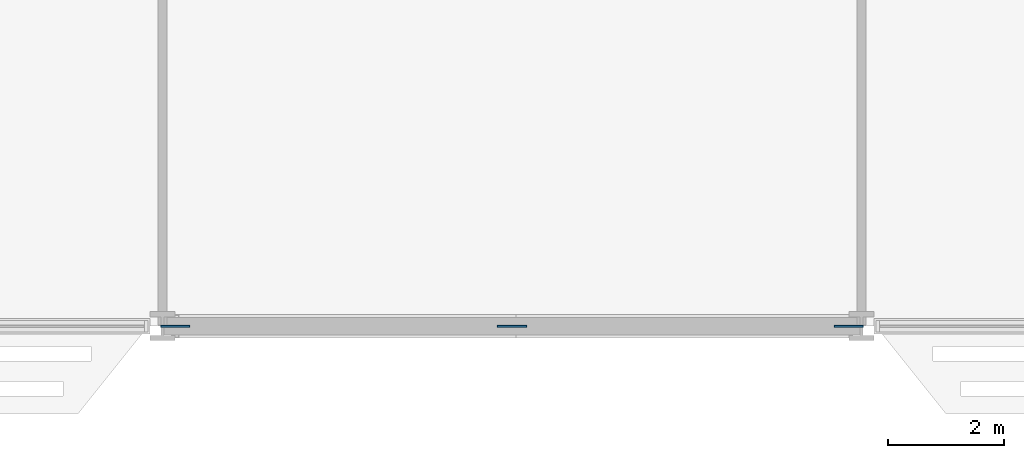
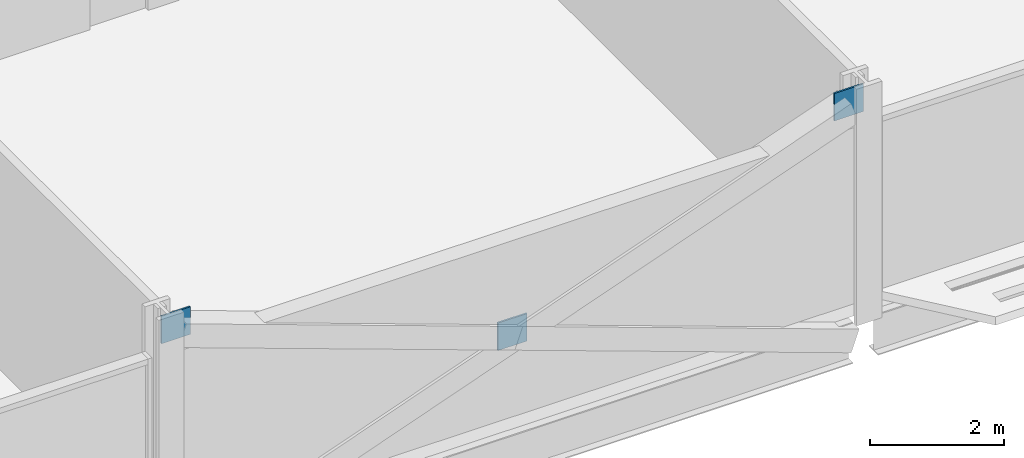
# One storey, part 17 of 28: 3 discrete accessories.
"""IFC4 building model written with IfcOpenShell, lengths in metres."""

from ifc_helpers import new_model, si_unit, direction, frame, origin, origin_2d, place, context, subcontext, project, spatial, rectangle, extrude, material, layer, layer_set, type_object, element, save


model = new_model("IFC4")

# Units and contexts
model_context = context("Model", 3, precision=1e-05, world=origin(), true_north=direction((0.0, 1.0)))
body_context = subcontext(model_context, "Body", "Model", "MODEL_VIEW")
ifc_project = project(units=[si_unit("LENGTHUNIT", "METRE"), si_unit("AREAUNIT", "SQUARE_METRE"), si_unit("VOLUMEUNIT", "CUBIC_METRE"), si_unit("PLANEANGLEUNIT", "RADIAN"), si_unit("MASSUNIT", "GRAM", prefix="KILO")], contexts=[model_context])

# Site, building, storey
site_placement = place(None, origin())
site = spatial("IfcSite", under=ifc_project, at=site_placement, CompositionType="ELEMENT")
building_placement = place(site_placement, origin())
building = spatial("IfcBuilding", under=site, at=building_placement, Name="Mahtab Terrace Research Tower", CompositionType="ELEMENT")
storey_placement = place(building_placement, frame((0.0, 0.0, 33.0)))
storey = spatial("IfcBuildingStorey", under=building, at=storey_placement, Name="L07", CompositionType="ELEMENT", Elevation=33.0)

# Discrete accessories
ifc_material = material(Name="Steel ASTM A992 Gr 50", Category="steel")
ifc_layer = layer(ifc_material, 0.030029296875)
ifc_layer_set = layer_set([ifc_layer], Name="Gusset plate 500x500x30")
discrete_accessory_type = type_object("IfcDiscreteAccessoryType", Name="Gusset plate 500x500x30", PredefinedType="USERDEFINED", material=ifc_layer_set)
for number, where, z_axis, x_axis, name in (
    (1, (-5.7841796875, -23.0, 3.32958984375), (0.0, 0.0, 1.0), (1.0, 0.0, 0.0), "Gusset plate"),
    (2, (0.0, -23.0, 1.181396484375), (0.0, 0.0, 1.0), (1.0, 0.0, 0.0), "Gusset plate"),
    (3, (5.7841796875, -23.0, 3.32958984375), (0.0, 0.0, 1.0), (1.0, 0.0, 0.0), "Gusset plate"),
):
    element("IfcDiscreteAccessory", number, at=place(storey_placement, frame(where, z_axis=z_axis, x_axis=x_axis)), inside=storey, type_object=discrete_accessory_type, Name=name, ObjectType="GUSSET PLATE", PredefinedType="USERDEFINED", context=body_context, shape_type="SweptSolid", body=[
        extrude(rectangle(XDim=0.5, YDim=0.030029296875, at=origin_2d()), origin(), (0.0, 0.0, 1.0), 0.5),
    ])

save(model, "model.ifc")
